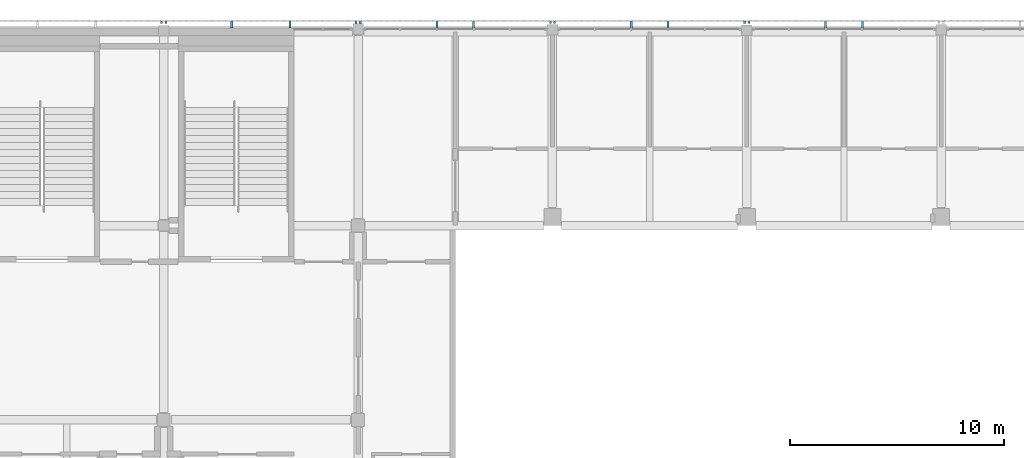
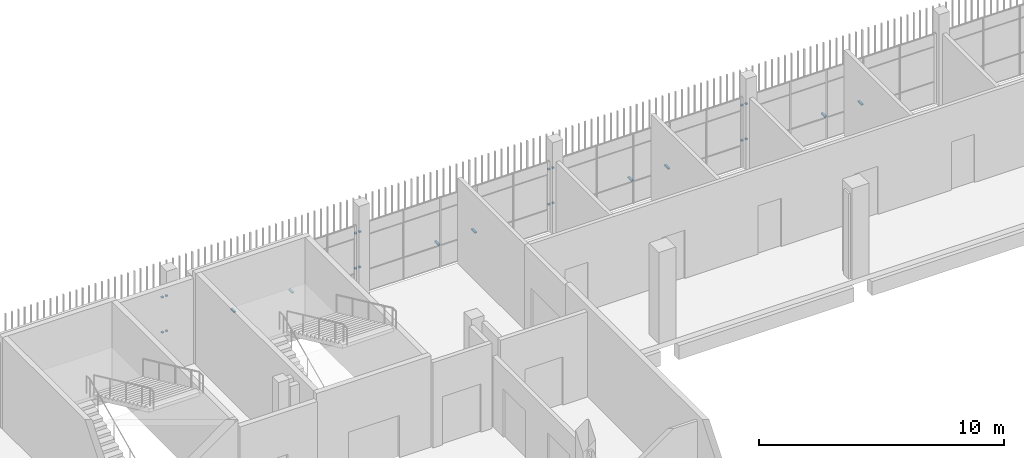
# One storey, part 96 of 124: 24 discrete accessories.
"""IFC4 building model written with IfcOpenShell, lengths in metres."""

from ifc_helpers import new_model, si_unit, direction, frame, origin, origin_2d, place, context, subcontext, project, spatial, rectangle, extrude, material, type_object, element, save


model = new_model("IFC4")

# Units and contexts
model_context = context("Model", 3, precision=1e-05, world=origin(), true_north=direction((0.0, 1.0)))
body_context = subcontext(model_context, "Body", "Model", "MODEL_VIEW")
ifc_project = project(units=[si_unit("LENGTHUNIT", "METRE"), si_unit("AREAUNIT", "SQUARE_METRE"), si_unit("VOLUMEUNIT", "CUBIC_METRE"), si_unit("PLANEANGLEUNIT", "RADIAN"), si_unit("MASSUNIT", "GRAM", prefix="KILO")], contexts=[model_context])

# Site, building, storey
site_placement = place(None, origin())
site = spatial("IfcSite", under=ifc_project, at=site_placement, CompositionType="ELEMENT")
building_placement = place(site_placement, origin())
building = spatial("IfcBuilding", under=site, at=building_placement, Name="Shirokan Park Arena", CompositionType="ELEMENT")
storey_placement = place(building_placement, frame((0.0, 0.0, 20.02001953125)))
storey = spatial("IfcBuildingStorey", under=building, at=storey_placement, Name="L04", CompositionType="ELEMENT", Elevation=20.02001953125)

# Discrete accessories
ifc_material = material(Name="Steel S355", Category="steel")
discrete_accessory_type = type_object("IfcDiscreteAccessoryType", Name="Veil bracket 100x60", PredefinedType="BRACKET", material=ifc_material)
for number, where, z_axis, x_axis, name in (
    (1, (54.699951171875, 109.597412109375, 1.070068359375), (0.0, 0.0, 1.0), (-1.0, 0.0, 0.0), "Veil bracket north bay 10 L04 2"),
    (2, (54.699951171875, 109.597412109375, 2.820068359375), (0.0, 0.0, 1.0), (-1.0, 0.0, 0.0), "Veil bracket north bay 10 L04 4"),
):
    element("IfcDiscreteAccessory", number, at=place(storey_placement, frame(where, z_axis=z_axis, x_axis=x_axis)), inside=storey, type_object=discrete_accessory_type, Name=name, PredefinedType="BRACKET", context=body_context, shape_type="SweptSolid", body=[
        extrude(rectangle(XDim=0.10009765625, YDim=0.094970703125, at=origin_2d()), origin(), (0.0, 0.0, 1.0), 0.06005859375),
    ])
for number, where, z_axis, x_axis, name in (
    (3, (60.010009765625, 109.485107421875, 1.070068359375), (0.0, 0.0, 1.0), (-1.0, 0.0, 0.0), "Veil bracket north bay 10 L04 wall 1"),
    (4, (58.2900390625, 109.485107421875, 1.070068359375), (0.0, 0.0, 1.0), (-1.0, 0.0, 0.0), "Veil bracket north bay 10 L04 wall 2"),
):
    element("IfcDiscreteAccessory", number, at=place(storey_placement, frame(where, z_axis=z_axis, x_axis=x_axis)), inside=storey, type_object=discrete_accessory_type, Name=name, PredefinedType="BRACKET", context=body_context, shape_type="SweptSolid", body=[
        extrude(rectangle(XDim=0.10009765625, YDim=0.320068359375, at=origin_2d()), origin(), (0.0, 0.0, 1.0), 0.06005859375),
    ])
for number, where, z_axis, x_axis, name in (
    (5, (54.5, 109.597412109375, 1.070068359375), (0.0, 0.0, 1.0), (-1.0, 0.0, 0.0), "Veil bracket north bay 11 L04 1"),
    (6, (45.60009765625, 109.597412109375, 1.070068359375), (0.0, 0.0, 1.0), (-1.0, 0.0, 0.0), "Veil bracket north bay 11 L04 2"),
    (7, (54.5, 109.597412109375, 2.820068359375), (0.0, 0.0, 1.0), (-1.0, 0.0, 0.0), "Veil bracket north bay 11 L04 3"),
    (8, (45.60009765625, 109.597412109375, 2.820068359375), (0.0, 0.0, 1.0), (-1.0, 0.0, 0.0), "Veil bracket north bay 11 L04 4"),
):
    element("IfcDiscreteAccessory", number, at=place(storey_placement, frame(where, z_axis=z_axis, x_axis=x_axis)), inside=storey, type_object=discrete_accessory_type, Name=name, PredefinedType="BRACKET", context=body_context, shape_type="SweptSolid", body=[
        extrude(rectangle(XDim=0.10009765625, YDim=0.094970703125, at=origin_2d()), origin(), (0.0, 0.0, 1.0), 0.06005859375),
    ])
for number, where, z_axis, x_axis, name in (
    (9, (50.909912109375, 109.485107421875, 1.070068359375), (0.0, 0.0, 1.0), (-1.0, 0.0, 0.0), "Veil bracket north bay 11 L04 wall 1"),
    (10, (49.18994140625, 109.485107421875, 1.070068359375), (0.0, 0.0, 1.0), (-1.0, 0.0, 0.0), "Veil bracket north bay 11 L04 wall 2"),
):
    element("IfcDiscreteAccessory", number, at=place(storey_placement, frame(where, z_axis=z_axis, x_axis=x_axis)), inside=storey, type_object=discrete_accessory_type, Name=name, PredefinedType="BRACKET", context=body_context, shape_type="SweptSolid", body=[
        extrude(rectangle(XDim=0.10009765625, YDim=0.320068359375, at=origin_2d()), origin(), (0.0, 0.0, 1.0), 0.06005859375),
    ])
for number, where, z_axis, x_axis, name in (
    (11, (45.39990234375, 109.597412109375, 1.070068359375), (0.0, 0.0, 1.0), (-1.0, 0.0, 0.0), "Veil bracket north bay 12 L04 1"),
    (12, (36.5, 109.597412109375, 1.070068359375), (0.0, 0.0, 1.0), (-1.0, 0.0, 0.0), "Veil bracket north bay 12 L04 2"),
    (13, (45.39990234375, 109.597412109375, 2.820068359375), (0.0, 0.0, 1.0), (-1.0, 0.0, 0.0), "Veil bracket north bay 12 L04 3"),
    (14, (36.5, 109.597412109375, 2.820068359375), (0.0, 0.0, 1.0), (-1.0, 0.0, 0.0), "Veil bracket north bay 12 L04 4"),
):
    element("IfcDiscreteAccessory", number, at=place(storey_placement, frame(where, z_axis=z_axis, x_axis=x_axis)), inside=storey, type_object=discrete_accessory_type, Name=name, PredefinedType="BRACKET", context=body_context, shape_type="SweptSolid", body=[
        extrude(rectangle(XDim=0.10009765625, YDim=0.094970703125, at=origin_2d()), origin(), (0.0, 0.0, 1.0), 0.06005859375),
    ])
for number, where, z_axis, x_axis, name in (
    (15, (41.81005859375, 109.485107421875, 1.070068359375), (0.0, 0.0, 1.0), (-1.0, 0.0, 0.0), "Veil bracket north bay 12 L04 wall 1"),
    (16, (40.090087890625, 109.485107421875, 1.070068359375), (0.0, 0.0, 1.0), (-1.0, 0.0, 0.0), "Veil bracket north bay 12 L04 wall 2"),
):
    element("IfcDiscreteAccessory", number, at=place(storey_placement, frame(where, z_axis=z_axis, x_axis=x_axis)), inside=storey, type_object=discrete_accessory_type, Name=name, PredefinedType="BRACKET", context=body_context, shape_type="SweptSolid", body=[
        extrude(rectangle(XDim=0.10009765625, YDim=0.320068359375, at=origin_2d()), origin(), (0.0, 0.0, 1.0), 0.06005859375),
    ])
for number, where, z_axis, x_axis, name in (
    (17, (36.300048828125, 109.597412109375, 1.070068359375), (0.0, 0.0, 1.0), (-1.0, 0.0, 0.0), "Veil bracket north bay 13 L04 1"),
    (18, (27.39990234375, 109.597412109375, 1.070068359375), (0.0, 0.0, 1.0), (-1.0, 0.0, 0.0), "Veil bracket north bay 13 L04 2"),
    (19, (36.300048828125, 109.597412109375, 2.820068359375), (0.0, 0.0, 1.0), (-1.0, 0.0, 0.0), "Veil bracket north bay 13 L04 3"),
    (20, (27.39990234375, 109.597412109375, 2.820068359375), (0.0, 0.0, 1.0), (-1.0, 0.0, 0.0), "Veil bracket north bay 13 L04 4"),
):
    element("IfcDiscreteAccessory", number, at=place(storey_placement, frame(where, z_axis=z_axis, x_axis=x_axis)), inside=storey, type_object=discrete_accessory_type, Name=name, PredefinedType="BRACKET", context=body_context, shape_type="SweptSolid", body=[
        extrude(rectangle(XDim=0.10009765625, YDim=0.094970703125, at=origin_2d()), origin(), (0.0, 0.0, 1.0), 0.06005859375),
    ])
for number, where, z_axis, x_axis, name in (
    (21, (33.215087890625, 109.49755859375, 1.070068359375), (0.0, 0.0, 1.0), (-1.0, 0.0, 0.0), "Veil bracket north bay 13 L04 wall 1"),
    (22, (30.485107421875, 109.49755859375, 1.070068359375), (0.0, 0.0, 1.0), (-1.0, 0.0, 0.0), "Veil bracket north bay 13 L04 wall 2"),
):
    element("IfcDiscreteAccessory", number, at=place(storey_placement, frame(where, z_axis=z_axis, x_axis=x_axis)), inside=storey, type_object=discrete_accessory_type, Name=name, PredefinedType="BRACKET", context=body_context, shape_type="SweptSolid", body=[
        extrude(rectangle(XDim=0.10009765625, YDim=0.294921875, at=origin_2d()), origin(), (0.0, 0.0, 1.0), 0.06005859375),
    ])
for number, where, z_axis, x_axis, name in (
    (23, (27.199951171875, 109.597412109375, 1.070068359375), (0.0, 0.0, 1.0), (-1.0, 0.0, 0.0), "Veil bracket north bay 14 L04 1"),
    (24, (27.199951171875, 109.597412109375, 2.820068359375), (0.0, 0.0, 1.0), (-1.0, 0.0, 0.0), "Veil bracket north bay 14 L04 3"),
):
    element("IfcDiscreteAccessory", number, at=place(storey_placement, frame(where, z_axis=z_axis, x_axis=x_axis)), inside=storey, type_object=discrete_accessory_type, Name=name, PredefinedType="BRACKET", context=body_context, shape_type="SweptSolid", body=[
        extrude(rectangle(XDim=0.10009765625, YDim=0.094970703125, at=origin_2d()), origin(), (0.0, 0.0, 1.0), 0.06005859375),
    ])

save(model, "model.ifc")
